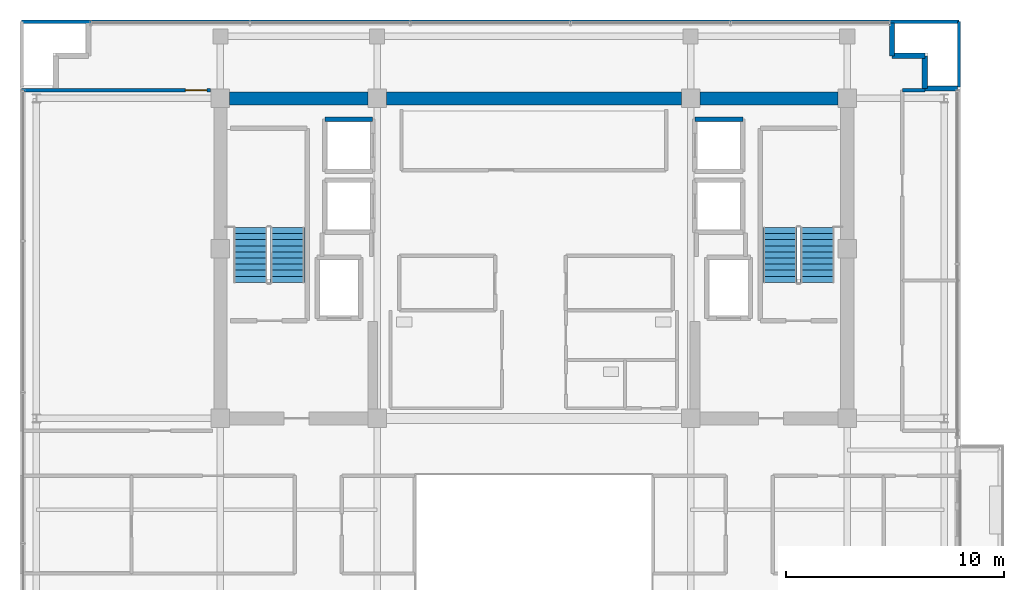
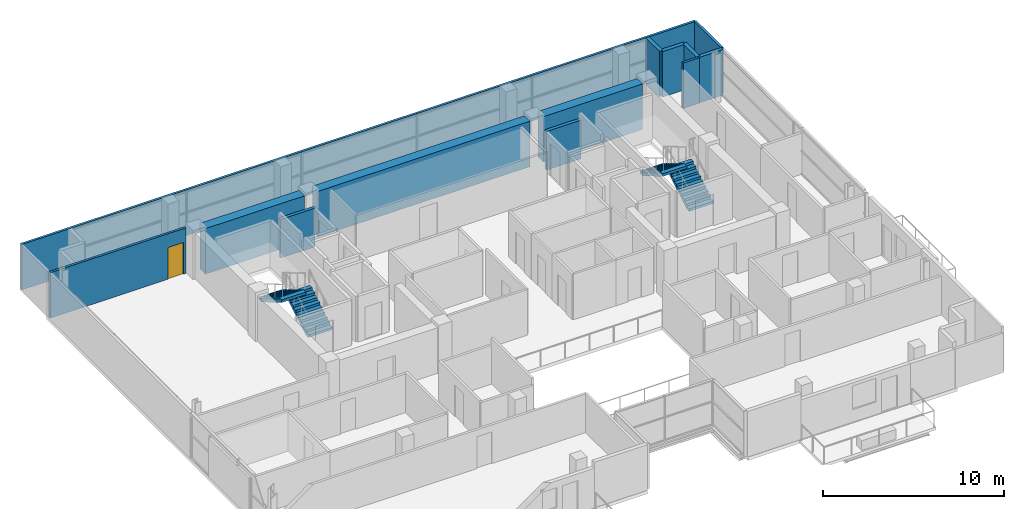
# One storey, part 19 of 23: 13 walls, 4 stair flights, 1 door, 1 opening, 2 elements without a shape of their own.
"""IFC4 building model written with IfcOpenShell, lengths in metres."""

import ifcopenshell
import ifcopenshell.guid

model = None  # the IFC model being written
_history = None  # IfcOwnerHistory: only IFC2X3 demands one
_inside = {}  # id of a spatial element -> (the spatial element, [elements in it])
_under = {}  # id of a project, library or spatial element -> (it, [spatial elements below it])
_declared = {}  # id of a project -> (the project, [libraries it declares])
_typed = {}  # id of a type object -> (the type object, [elements of that type])
_made_of = {}  # id of a material, layer set ... -> (it, [elements and type objects made of it])


def new_model(schema):
    """Start an empty IFC model of exactly this schema.

    Asked for "IFC4X3", IfcOpenShell would pick the latest addendum, in which some entities
    have other attributes; the version numbers below select the first issue.
    IFC2X3 requires an IfcOwnerHistory on every rooted entity: one is made here for all.
    """
    global model, _history
    if schema == "IFC4X3":
        model = ifcopenshell.file(schema_version=(4, 3, 0, 0))
    else:
        model = ifcopenshell.file(schema=schema)
    _inside.clear()
    _under.clear()
    _declared.clear()
    _typed.clear()
    _made_of.clear()
    _history = None
    if model.schema == "IFC2X3":
        org = make("IfcOrganization", Name="unknown")
        user = make(
            "IfcPersonAndOrganization",
            ThePerson=make("IfcPerson", FamilyName="unknown"),
            TheOrganization=org,
        )
        app = make(
            "IfcApplication",
            ApplicationDeveloper=org,
            Version="unknown",
            ApplicationFullName="unknown",
            ApplicationIdentifier="unknown",
        )
        _history = make(
            "IfcOwnerHistory",
            OwningUser=user,
            OwningApplication=app,
            ChangeAction="ADDED",
            CreationDate=0,
        )
    return model


def make(cls, **values):
    """One entity of the class cls with the attributes given. An attribute that is None is left unset."""
    return model.create_entity(
        cls, **{name: value for name, value in values.items() if value is not None}
    )


def rooted(cls, **values):
    """An entity with a GlobalId (a new one), such as an element, a storey or a relation."""
    return make(cls, GlobalId=ifcopenshell.guid.new(), OwnerHistory=_history, **values)


def si_unit(unit_type, name, prefix=None):
    """IfcSIUnit, for example si_unit("LENGTHUNIT", "METRE", prefix="MILLI")."""
    return make("IfcSIUnit", UnitType=unit_type, Prefix=prefix, Name=name)


def assignment(units):
    """IfcUnitAssignment: the units of a project."""
    return None if units is None else make("IfcUnitAssignment", Units=units)


def point(xyz):
    """IfcCartesianPoint."""
    return None if xyz is None else make("IfcCartesianPoint", Coordinates=xyz)


def direction(xyz):
    """IfcDirection."""
    return None if xyz is None else make("IfcDirection", DirectionRatios=xyz)


def frame(location, z_axis=None, x_axis=None):
    """IfcAxis2Placement3D, a coordinate frame: its origin and axes. An axis left out is left unset."""
    return make(
        "IfcAxis2Placement3D",
        Location=point(location),
        Axis=direction(z_axis),
        RefDirection=direction(x_axis),
    )


def frame_2d(location, x_axis=None):
    """IfcAxis2Placement2D, a coordinate frame in the plane: its origin and x axis."""
    return make(
        "IfcAxis2Placement2D", Location=point(location), RefDirection=direction(x_axis)
    )


def origin():
    """The frame at (0, 0, 0) with its axes left unset."""
    return frame((0.0, 0.0, 0.0))


def place(relative_to, where):
    """IfcLocalPlacement: puts the frame where relative to a parent placement (None: the world)."""
    return make(
        "IfcLocalPlacement", PlacementRelTo=relative_to, RelativePlacement=where
    )


def context(
    kind, dimensions, precision=None, world=None, true_north=None, identifier=None
):
    """IfcGeometricRepresentationContext, for example the 3D "Model" context."""
    return make(
        "IfcGeometricRepresentationContext",
        ContextIdentifier=identifier,
        ContextType=kind,
        CoordinateSpaceDimension=dimensions,
        Precision=precision,
        WorldCoordinateSystem=world,
        TrueNorth=true_north,
    )


def subcontext(parent, identifier, kind, view, scale=None):
    """IfcGeometricRepresentationSubContext, for example "Body" below "Model"."""
    return make(
        "IfcGeometricRepresentationSubContext",
        ContextIdentifier=identifier,
        ContextType=kind,
        ParentContext=parent,
        TargetScale=scale,
        TargetView=view,
    )


def project(units=None, contexts=None):
    """IfcProject with its units and contexts."""
    return rooted(
        "IfcProject",
        Name="project",
        RepresentationContexts=contexts,
        UnitsInContext=assignment(units),
    )


def spatial(cls, under=None, at=None, **own):
    """A site, building, storey or space (cls), placed at a placement, below another one or the project."""
    s = rooted(cls, ObjectPlacement=at, **own)
    if under is not None:
        _under.setdefault(under.id(), (under, []))[1].append(s)
    return s


def polyline(points):
    """IfcPolyline through the points."""
    return make("IfcPolyline", Points=[point(p) for p in points])


def profile(cls, at=None, kind="AREA", **sizes):
    """A parametric profile (cls). Its sizes go by their IFC names, for example OverallWidth=200.0."""
    return make(cls, ProfileType=kind, Position=at, **sizes)


def rectangle(**sizes):
    """IfcRectangleProfileDef."""
    return profile("IfcRectangleProfileDef", **sizes)


def outline(outer, holes=None, kind="AREA"):
    """IfcArbitraryClosedProfileDef: a profile drawn as a closed curve; with holes, ...WithVoids."""
    if holes is None:
        return make("IfcArbitraryClosedProfileDef", ProfileType=kind, OuterCurve=outer)
    return make(
        "IfcArbitraryProfileDefWithVoids",
        ProfileType=kind,
        OuterCurve=outer,
        InnerCurves=holes,
    )


def extrude(swept, where, along, depth):
    """IfcExtrudedAreaSolid: the profile swept, set in the frame where, extruded along a direction by depth."""
    return make(
        "IfcExtrudedAreaSolid",
        SweptArea=swept,
        Position=where,
        ExtrudedDirection=direction(along),
        Depth=depth,
    )


def shape(context_of_items, identifier, shape_type, items):
    """IfcShapeRepresentation: the items that make up one representation, for example the "Body"."""
    return make(
        "IfcShapeRepresentation",
        ContextOfItems=context_of_items,
        RepresentationIdentifier=identifier,
        RepresentationType=shape_type,
        Items=items,
    )


def source(mapping_origin, context_of_items, identifier, shape_type, items):
    """IfcRepresentationMap: a shape defined once, which mapped items show again and again."""
    return make(
        "IfcRepresentationMap",
        MappingOrigin=mapping_origin,
        MappedRepresentation=shape(context_of_items, identifier, shape_type, items),
    )


def transform(
    local_origin,
    x_axis=None,
    y_axis=None,
    z_axis=None,
    scale=None,
    scale2=None,
    scale3=None,
    uniform=True,
):
    """IfcCartesianTransformationOperator3D, or its non-uniform kind. x_axis, y_axis, z_axis: its Axis1, 2, 3."""
    if uniform:
        return make(
            "IfcCartesianTransformationOperator3D",
            Axis1=direction(x_axis),
            Axis2=direction(y_axis),
            LocalOrigin=point(local_origin),
            Scale=scale,
            Axis3=direction(z_axis),
        )
    return make(
        "IfcCartesianTransformationOperator3DnonUniform",
        Axis1=direction(x_axis),
        Axis2=direction(y_axis),
        LocalOrigin=point(local_origin),
        Scale=scale,
        Axis3=direction(z_axis),
        Scale2=scale2,
        Scale3=scale3,
    )


def mapped(mapping_source, mapping_target):
    """IfcMappedItem: shows the shape of a source again, moved by a transform."""
    return make(
        "IfcMappedItem", MappingSource=mapping_source, MappingTarget=mapping_target
    )


def material(Name=None, Category=None):
    """IfcMaterial."""
    return make("IfcMaterial", Name=Name, Category=Category)


def layer(
    of_material, thickness, ventilated=None, Name=None, Category=None, Priority=None
):
    """IfcMaterialLayer: one layer of a wall or slab, of a material (None: an air gap)."""
    return make(
        "IfcMaterialLayer",
        Material=of_material,
        LayerThickness=thickness,
        IsVentilated=ventilated,
        Name=Name,
        Category=Category,
        Priority=Priority,
    )


def layer_set(layers, Name=None):
    """IfcMaterialLayerSet."""
    return make("IfcMaterialLayerSet", MaterialLayers=layers, LayerSetName=Name)


def made_of(thing, what):
    """Note that an element or type object is made of a material, layer set ...; save() writes the relation."""
    if what is not None:
        _made_of.setdefault(what.id(), (what, []))[1].append(thing)
    return thing


def type_object(cls, material=None, **own):
    """A type object (cls), such as IfcWallType, which elements share."""
    return made_of(rooted(cls, **own), material)


def element(
    cls,
    number,
    at=None,
    inside=None,
    cuts=None,
    type_object=None,
    material=None,
    context=None,
    identifier="Body",
    shape_type=None,
    held_by="IfcProductDefinitionShape",
    body=None,
    shapes=None,
    **own,
):
    """One element of the class cls, such as IfcWall. Its Tag is "e" and its number.

    at: its placement. inside: the storey or other place that contains it. cuts: it is an
    opening in that element (IfcRelVoidsElement). A single representation is given by context,
    identifier, shape_type and body (its items); several are given by shapes. held_by: the class
    of the entity that holds the representations. save() writes the other relations.
    """
    e = rooted(cls, Tag="e%d" % number, ObjectPlacement=at, **own)
    if body is not None:
        shapes = [shape(context, identifier, shape_type, body)]
    if shapes is not None:
        e.Representation = make(held_by, Representations=shapes)
    if inside is not None:
        _inside.setdefault(inside.id(), (inside, []))[1].append(e)
    if cuts is not None:
        rooted(
            "IfcRelVoidsElement", RelatingBuildingElement=cuts, RelatedOpeningElement=e
        )
    if type_object is not None:
        _typed.setdefault(type_object.id(), (type_object, []))[1].append(e)
    return made_of(e, material)


def fill(opening, filler):
    """IfcRelFillsElement: the door or window that sits in an opening."""
    return rooted(
        "IfcRelFillsElement",
        RelatingOpeningElement=opening,
        RelatedBuildingElement=filler,
    )


def aggregate(whole, parts):
    """IfcRelAggregates: a whole, such as a stair, and the parts it consists of."""
    return rooted("IfcRelAggregates", RelatingObject=whole, RelatedObjects=parts)


def save(model, path):
    """Write the relations noted so far, then the file.

    IfcRelAggregates (storeys below a building ...), IfcRelContainedInSpatialStructure (elements
    in a storey), IfcRelDefinesByType, IfcRelAssociatesMaterial and IfcRelDeclares: one each for
    every whole, place, type object, material and project.
    """
    for whole, parts in _under.values():
        aggregate(whole, parts)
    for where, things in _inside.values():
        rooted(
            "IfcRelContainedInSpatialStructure",
            RelatedElements=things,
            RelatingStructure=where,
        )
    for kind, things in _typed.values():
        rooted("IfcRelDefinesByType", RelatedObjects=things, RelatingType=kind)
    for what, things in _made_of.values():
        rooted("IfcRelAssociatesMaterial", RelatedObjects=things, RelatingMaterial=what)
    for by, libraries in _declared.values():
        rooted("IfcRelDeclares", RelatingContext=by, RelatedDefinitions=libraries)
    model.write(path)


model = new_model("IFC4")

# Units and contexts
model_context = context("Model", 3, precision=1e-05, world=origin(), true_north=direction((0.0, 1.0)))
body_context = subcontext(model_context, "Body", "Model", "MODEL_VIEW")
ifc_project = project(units=[si_unit("LENGTHUNIT", "METRE"), si_unit("AREAUNIT", "SQUARE_METRE"), si_unit("VOLUMEUNIT", "CUBIC_METRE"), si_unit("PLANEANGLEUNIT", "RADIAN"), si_unit("MASSUNIT", "GRAM", prefix="KILO")], contexts=[model_context])

# Site, building, storey
site_placement = place(None, origin())
site = spatial("IfcSite", under=ifc_project, at=site_placement, CompositionType="ELEMENT")
building_placement = place(site_placement, origin())
building = spatial("IfcBuilding", under=site, at=building_placement, Name="Zarnakvel Exchange Tower", CompositionType="ELEMENT")
storey_placement = place(building_placement, frame((0.0, 0.0, 218.800048828125)))
storey = spatial("IfcBuildingStorey", under=building, at=storey_placement, Name="L61", CompositionType="ELEMENT", Elevation=218.800048828125)

# Walls
ifc_material_1 = material(Name="Concrete C50/60", Category="concrete")
ifc_layer_1 = layer(ifc_material_1, 0.60009765625)
ifc_layer_set_1 = layer_set([ifc_layer_1], Name="Concrete C50/60")
wall_type_1 = type_object("IfcWallType", Name="CW-C5", PredefinedType="SHEAR", material=ifc_layer_set_1)
wall_1_placement = place(storey_placement, frame((-13.97509765625, 13.5, 0.0), z_axis=(0.0, 0.0, 1.0), x_axis=(1.0, 0.0, 0.0)))
element("IfcWall", 1, at=wall_1_placement, inside=storey, type_object=wall_type_1, Name="L61 Rear Core Shear Wall N1 (CW-C5)", PredefinedType="SHEAR", context=body_context, shape_type="SweptSolid", body=[
    extrude(rectangle(XDim=6.35009765625, YDim=0.60009765625, at=frame_2d((3.175048828125, 0.0))), origin(), (0.0, 0.0, 1.0), 3.074951171875),
])
wall_2_placement = place(storey_placement, frame((-6.77490234375, 13.5, 0.0), z_axis=(0.0, 0.0, 1.0), x_axis=(1.0, 0.0, 0.0)))
element("IfcWall", 2, at=wall_2_placement, inside=storey, type_object=wall_type_1, Name="L61 Rear Core Shear Wall N2 (CW-C5)", PredefinedType="SHEAR", context=body_context, shape_type="SweptSolid", body=[
    extrude(rectangle(XDim=13.5498046875, YDim=0.60009765625, at=frame_2d((6.77490234375, 0.0))), origin(), (0.0, 0.0, 1.0), 3.074951171875),
])
wall_3_placement = place(storey_placement, frame((7.625, 13.5, 0.0), z_axis=(0.0, 0.0, 1.0), x_axis=(1.0, 0.0, 0.0)))
element("IfcWall", 3, at=wall_3_placement, inside=storey, type_object=wall_type_1, Name="L61 Rear Core Shear Wall N3 (CW-C5)", PredefinedType="SHEAR", context=body_context, shape_type="SweptSolid", body=[
    extrude(rectangle(XDim=6.35009765625, YDim=0.60009765625, at=frame_2d((3.175048828125, 0.0))), origin(), (0.0, 0.0, 1.0), 3.074951171875),
])
ifc_material_2 = material(Name="Precast concrete C40/50", Category="concrete")
ifc_layer_2 = layer(ifc_material_2, 0.239990234375)
ifc_layer_set_2 = layer_set([ifc_layer_2], Name="Precast concrete C40/50")
wall_type_2 = type_object("IfcWallType", Name="EW-02", PredefinedType="SOLIDWALL", material=ifc_layer_set_2)
for number, where, z_axis, x_axis, name in (
    (4, (16.4599609375, 15.4599609375, 0.0), (0.0, 0.0, 1.0), (0.0, 1.0, 0.0), "L61 Exterior Precast Spandrel Wall EWC-L61-05 (EW-02)"),
    (5, (17.9599609375, 15.4599609375, 0.0), (0.0, 0.0, 1.0), (-1.0, 0.0, 0.0), "L61 Exterior Precast Spandrel Wall EWC-L61-06 (EW-02)"),
    (6, (17.9599609375, 13.9599609375, 0.0), (0.0, 0.0, 1.0), (0.0, 1.0, 0.0), "L61 Exterior Precast Spandrel Wall EWC-L61-07 (EW-02)"),
    (7, (19.4599609375, 13.9599609375, 0.0), (0.0, 0.0, 1.0), (-1.0, 0.0, 0.0), "L61 Exterior Precast Spandrel Wall EWC-L61-08 (EW-02)"),
):
    element("IfcWall", number, at=place(storey_placement, frame(where, z_axis=z_axis, x_axis=x_axis)), inside=storey, type_object=wall_type_2, Name=name, PredefinedType="SOLIDWALL", context=body_context, shape_type="SweptSolid", body=[
        extrude(rectangle(XDim=1.5, YDim=0.239990234375, at=frame_2d((0.75, 0.0))), origin(), (0.0, 0.0, 1.0), 3.074951171875),
    ])

# Wall, opening, door
ifc_material_3 = material(Name="Fire-Rated Gypsum Stud Partition", Category="gypsum")
ifc_layer_3 = layer(ifc_material_3, 0.14990234375)
ifc_layer_set_3 = layer_set([ifc_layer_3], Name="Fire-Rated Gypsum Stud Partition")
wall_type_3 = type_object("IfcWallType", Name="PT-01", PredefinedType="PARTITIONING", material=ifc_layer_set_3)
wall_4_placement = place(storey_placement, frame((-23.530029296875, 13.8798828125, 0.0), z_axis=(0.0, 0.0, 1.0), x_axis=(1.0, 0.0, 0.0)))
wall_4 = element("IfcWall", 8, at=wall_4_placement, inside=storey, type_object=wall_type_3, Name="L61 Partition Wall PWALL-L61-064 (PT-01)", PredefinedType="PARTITIONING", context=body_context, shape_type="SweptSolid", body=[
    extrude(rectangle(XDim=8.68505859375, YDim=0.14990234375, at=frame_2d((4.342529296875, 0.0))), origin(), (0.0, 0.0, 1.0), 3.074951171875),
])
opening_placement = place(wall_4_placement, frame((7.52490234375, 0.0, 0.0)))
opening = element("IfcOpeningElement", 9, at=opening_placement, cuts=wall_4, Name="Opening D-L61-23", PredefinedType="OPENING", context=body_context, shape_type="SweptSolid", body=[
    extrude(rectangle(XDim=0.97998046875, YDim=2.14990234375, at=frame_2d((0.489990234375, 1.074951171875))), frame((0.0, 0.0849609375, 0.0), z_axis=(0.0, -1.0, 0.0), x_axis=(1.0, 0.0, 0.0)), (0.0, 0.0, 1.0), 0.169921875),
])
ifc_material_4 = material(Name="Timber Acoustic Veneer", Category="wood")
door_type = type_object("IfcDoorType", Name="DT-05", OperationType="NOTDEFINED", PredefinedType="DOOR", material=ifc_material_4)
shared_shape = source(origin(), body_context, "Body", "SweptSolid", [
    extrude(rectangle(XDim=0.97998046875, YDim=2.14990234375, at=frame_2d((0.489990234375, 1.074951171875))), frame((0.0, 0.02490234375, 0.0), z_axis=(0.0, -1.0, 0.0), x_axis=(1.0, 0.0, 0.0)), (0.0, 0.0, 1.0), 0.050048828125),
])
door_placement = place(opening_placement, origin())
door = element("IfcDoor", 10, at=door_placement, inside=storey, type_object=door_type, Name="L61 Settlement Office Door D-L61-23", OperationType="SINGLE_SWING_RIGHT", OverallHeight=2.14990234375, OverallWidth=0.97998046875, PredefinedType="DOOR", context=body_context, shape_type="MappedRepresentation", body=[
    mapped(shared_shape, transform((0.0, 0.0, 0.0), x_axis=(1.0, 0.0, 0.0), y_axis=(0.0, 1.0, 0.0), z_axis=(0.0, 0.0, 1.0), scale=1.0)),
])
fill(opening, door)

# Walls
wall_5_placement = place(storey_placement, frame((16.929931640625, 13.8798828125, 0.0), z_axis=(0.0, 0.0, 1.0), x_axis=(1.0, 0.0, 0.0)))
element("IfcWall", 11, at=wall_5_placement, inside=storey, type_object=wall_type_3, Name="L61 Partition Wall PWALL-L61-070 (PT-01)", PredefinedType="PARTITIONING", context=body_context, shape_type="SweptSolid", body=[
    extrude(rectangle(XDim=1.030029296875, YDim=0.14990234375, at=frame_2d((0.51513671875, 0.0))), origin(), (0.0, 0.0, 1.0), 3.074951171875),
])
wall_6_placement = place(storey_placement, frame((-23.530029296875, 17.030029296875, 0.0), z_axis=(0.0, 0.0, 1.0), x_axis=(1.0, 0.0, 0.0)))
element("IfcWall", 12, at=wall_6_placement, inside=storey, type_object=wall_type_3, Name="L61 Partition Wall PWALL-L61-073 (PT-01)", PredefinedType="PARTITIONING", context=body_context, shape_type="SweptSolid", body=[
    extrude(rectangle(XDim=43.06005859375, YDim=0.14990234375, at=frame_2d((21.530029296875, 0.0))), origin(), (0.0, 0.0, 1.0), 3.074951171875),
])
wall_7_placement = place(storey_placement, frame((19.530029296875, 17.030029296875, 0.0), z_axis=(0.0, 0.0, 1.0), x_axis=(0.0, -1.0, 0.0)))
element("IfcWall", 13, at=wall_7_placement, inside=storey, type_object=wall_type_3, Name="L61 Partition Wall PWALL-L61-075 (PT-01)", PredefinedType="PARTITIONING", context=body_context, shape_type="SweptSolid", body=[
    extrude(rectangle(XDim=3.0, YDim=0.14990234375, at=frame_2d((1.5, 0.0))), origin(), (0.0, 0.0, 1.0), 3.074951171875),
])
ifc_material_5 = material(Name="Concrete C40/50", Category="concrete")
ifc_layer_4 = layer(ifc_material_5, 0.199951171875)
ifc_layer_set_4 = layer_set([ifc_layer_4], Name="Concrete C40/50")
wall_type_4 = type_object("IfcWallType", Name="SW-01", PredefinedType="SOLIDWALL", material=ifc_layer_set_4)
for number, where, z_axis, x_axis, name in (
    (14, (-9.60009765625, 12.550048828125, 0.0), (0.0, 0.0, 1.0), (1.0, 0.0, 0.0), "L61 PL-10 Hoistway Wall North"),
    (15, (7.39990234375, 12.550048828125, 0.0), (0.0, 0.0, 1.0), (1.0, 0.0, 0.0), "L61 PL-12 Hoistway Wall North"),
):
    element("IfcWall", number, at=place(storey_placement, frame(where, z_axis=z_axis, x_axis=x_axis)), inside=storey, type_object=wall_type_4, Name=name, PredefinedType="SOLIDWALL", context=body_context, shape_type="SweptSolid", body=[
        extrude(rectangle(XDim=2.2001953125, YDim=0.199951171875, at=frame_2d((1.10009765625, 0.0))), origin(), (0.0, 0.0, 1.0), 2.614990234375),
    ])

# Stair, stair flights
stair_type = type_object("IfcStairType", Name="STR-01", PredefinedType="HALF_TURN_STAIR", material=ifc_material_5)
stair_1_placement = place(storey_placement, origin())
stair_1 = element("IfcStair", 16, at=stair_1_placement, inside=storey, type_object=stair_type, Name="L61 Protected Core Exit Stair ST-01", PredefinedType="HALF_TURN_STAIR")
stair_flight_type = type_object("IfcStairFlightType", Name="FLT-01", PredefinedType="STRAIGHT", material=ifc_material_5)
stair_flight_1_placement = place(storey_placement, frame((-11.31494140625, 5.050048828125, 0.0), z_axis=(0.0, 0.0, 1.0), x_axis=(0.0, 1.0, 0.0)))
stair_flight_1 = element("IfcStairFlight", 17, at=stair_flight_1_placement, type_object=stair_flight_type, Name="ST-01 flight 1", NumberOfRisers=10, NumberOfTreads=9, PredefinedType="STRAIGHT", RiserHeight=0.165, TreadLength=0.28, context=body_context, shape_type="SweptSolid", body=[
    extrude(outline(polyline([(0.0, 0.0), (0.0, 0.1650390625), (0.280029296875, 0.1650390625), (0.280029296875, 0.330078125), (0.56005859375, 0.330078125), (0.56005859375, 0.4951171875), (0.840087890625, 0.4951171875), (0.840087890625, 0.659912109375), (1.1201171875, 0.659912109375), (1.1201171875, 0.824951171875), (1.39990234375, 0.824951171875), (1.39990234375, 0.989990234375), (1.679931640625, 0.989990234375), (1.679931640625, 1.155029296875), (1.9599609375, 1.155029296875), (1.9599609375, 1.320068359375), (2.239990234375, 1.320068359375), (2.239990234375, 1.485107421875), (2.52001953125, 1.485107421875), (2.52001953125, 1.64990234375), (2.52001953125, 1.31103515625), (0.295166015625, 0.0), (0.0, 0.0)])), frame((0.0, 0.77490234375, 0.0), z_axis=(0.0, -1.0, 0.0), x_axis=(1.0, 0.0, 0.0)), (0.0, 0.0, 1.0), 1.550048828125),
])
stair_flight_2_placement = place(storey_placement, frame((-13.02490234375, 7.570068359375, 1.64990234375), z_axis=(0.0, 0.0, 1.0), x_axis=(0.0, -1.0, 0.0)))
stair_flight_2 = element("IfcStairFlight", 18, at=stair_flight_2_placement, type_object=stair_flight_type, Name="ST-01 flight 2", NumberOfRisers=10, NumberOfTreads=9, PredefinedType="STRAIGHT", RiserHeight=0.165, TreadLength=0.28, context=body_context, shape_type="SweptSolid", body=[
    extrude(outline(polyline([(0.0, 0.0), (0.0, 0.1650390625), (0.280029296875, 0.1650390625), (0.280029296875, 0.330078125), (0.56005859375, 0.330078125), (0.56005859375, 0.4951171875), (0.840087890625, 0.4951171875), (0.840087890625, 0.659912109375), (1.1201171875, 0.659912109375), (1.1201171875, 0.824951171875), (1.39990234375, 0.824951171875), (1.39990234375, 0.989990234375), (1.679931640625, 0.989990234375), (1.679931640625, 1.155029296875), (1.9599609375, 1.155029296875), (1.9599609375, 1.320068359375), (2.239990234375, 1.320068359375), (2.239990234375, 1.485107421875), (2.52001953125, 1.485107421875), (2.52001953125, 1.64990234375), (2.52001953125, 1.31103515625), (0.295166015625, 0.0), (0.0, 0.0)])), frame((0.0, 0.77490234375, 0.0), z_axis=(0.0, -1.0, 0.0), x_axis=(1.0, 0.0, 0.0)), (0.0, 0.0, 1.0), 1.550048828125),
])
aggregate(stair_1, [stair_flight_1, stair_flight_2])

stair_2_placement = place(storey_placement, origin())
stair_2 = element("IfcStair", 19, at=stair_2_placement, inside=storey, type_object=stair_type, Name="L61 Protected Core Exit Stair ST-02", PredefinedType="HALF_TURN_STAIR")
stair_flight_3_placement = place(storey_placement, frame((13.02490234375, 5.050048828125, 0.0), z_axis=(0.0, 0.0, 1.0), x_axis=(0.0, 1.0, 0.0)))
stair_flight_3 = element("IfcStairFlight", 20, at=stair_flight_3_placement, type_object=stair_flight_type, Name="ST-02 flight 1", NumberOfRisers=10, NumberOfTreads=9, PredefinedType="STRAIGHT", RiserHeight=0.165, TreadLength=0.28, context=body_context, shape_type="SweptSolid", body=[
    extrude(outline(polyline([(0.0, 0.0), (0.0, 0.1650390625), (0.280029296875, 0.1650390625), (0.280029296875, 0.330078125), (0.56005859375, 0.330078125), (0.56005859375, 0.4951171875), (0.840087890625, 0.4951171875), (0.840087890625, 0.659912109375), (1.1201171875, 0.659912109375), (1.1201171875, 0.824951171875), (1.39990234375, 0.824951171875), (1.39990234375, 0.989990234375), (1.679931640625, 0.989990234375), (1.679931640625, 1.155029296875), (1.9599609375, 1.155029296875), (1.9599609375, 1.320068359375), (2.239990234375, 1.320068359375), (2.239990234375, 1.485107421875), (2.52001953125, 1.485107421875), (2.52001953125, 1.64990234375), (2.52001953125, 1.31103515625), (0.295166015625, 0.0), (0.0, 0.0)])), frame((0.0, 0.77490234375, 0.0), z_axis=(0.0, -1.0, 0.0), x_axis=(1.0, 0.0, 0.0)), (0.0, 0.0, 1.0), 1.550048828125),
])
stair_flight_4_placement = place(storey_placement, frame((11.31494140625, 7.570068359375, 1.64990234375), z_axis=(0.0, 0.0, 1.0), x_axis=(0.0, -1.0, 0.0)))
stair_flight_4 = element("IfcStairFlight", 21, at=stair_flight_4_placement, type_object=stair_flight_type, Name="ST-02 flight 2", NumberOfRisers=10, NumberOfTreads=9, PredefinedType="STRAIGHT", RiserHeight=0.165, TreadLength=0.28, context=body_context, shape_type="SweptSolid", body=[
    extrude(outline(polyline([(0.0, 0.0), (0.0, 0.1650390625), (0.280029296875, 0.1650390625), (0.280029296875, 0.330078125), (0.56005859375, 0.330078125), (0.56005859375, 0.4951171875), (0.840087890625, 0.4951171875), (0.840087890625, 0.659912109375), (1.1201171875, 0.659912109375), (1.1201171875, 0.824951171875), (1.39990234375, 0.824951171875), (1.39990234375, 0.989990234375), (1.679931640625, 0.989990234375), (1.679931640625, 1.155029296875), (1.9599609375, 1.155029296875), (1.9599609375, 1.320068359375), (2.239990234375, 1.320068359375), (2.239990234375, 1.485107421875), (2.52001953125, 1.485107421875), (2.52001953125, 1.64990234375), (2.52001953125, 1.31103515625), (0.295166015625, 0.0), (0.0, 0.0)])), frame((0.0, 0.77490234375, 0.0), z_axis=(0.0, -1.0, 0.0), x_axis=(1.0, 0.0, 0.0)), (0.0, 0.0, 1.0), 1.550048828125),
])
aggregate(stair_2, [stair_flight_3, stair_flight_4])

save(model, "model.ifc")
